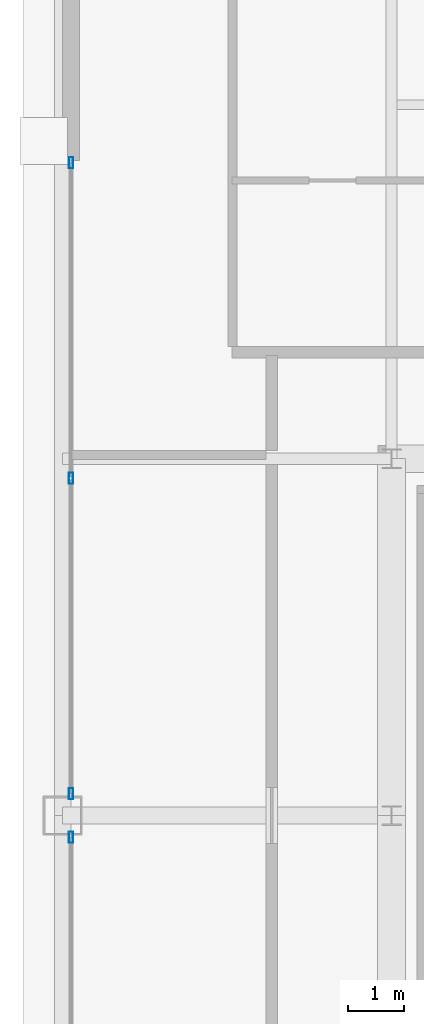
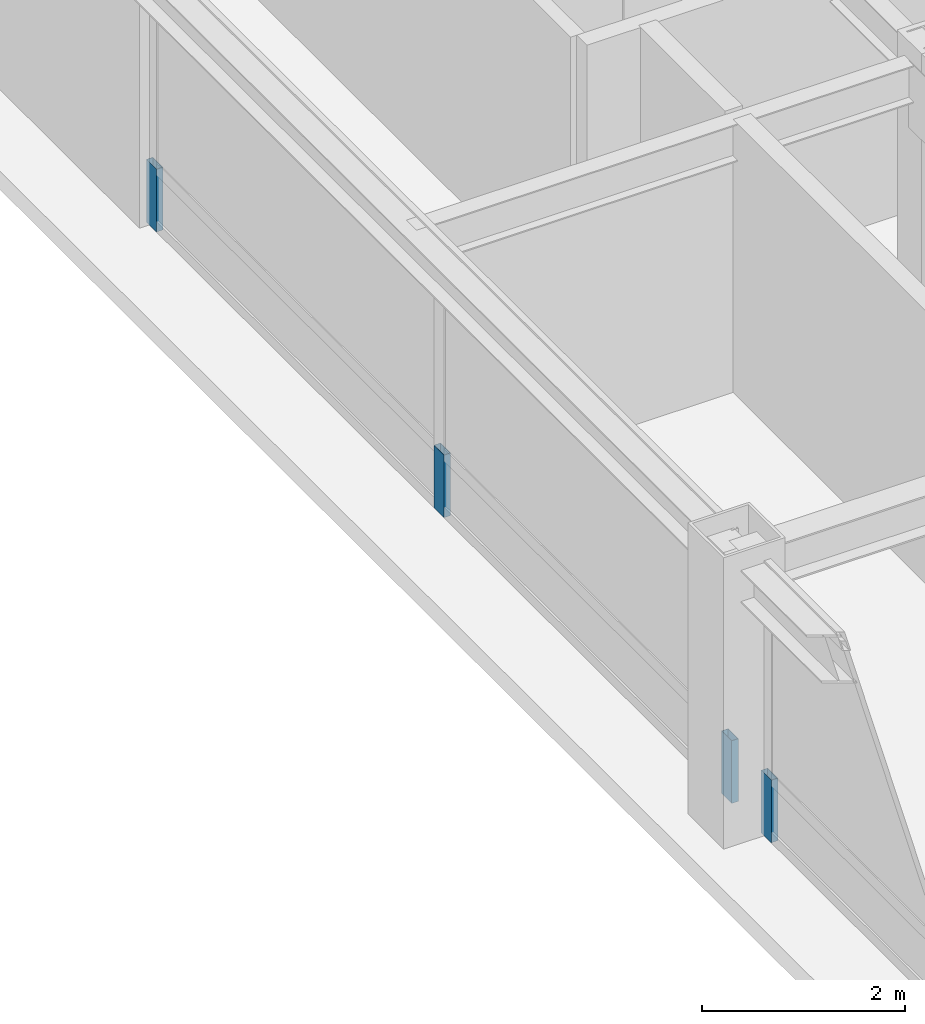
# One storey, part 24 of 35: 4 members, 2 elements without a shape of their own.
"""IFC4 building model written with IfcOpenShell, lengths in metres."""

from ifc_helpers import new_model, si_unit, direction, frame, origin, origin_2d, place, context, subcontext, project, spatial, hollow_rectangle, extrude, source, transform, mapped, material, layer, layer_set, material_profile, profile_set, type_object, element, aggregate, save


model = new_model("IFC4")

# Units and contexts
model_context = context("Model", 3, precision=1e-05, world=origin(), true_north=direction((0.0, 1.0)))
body_context = subcontext(model_context, "Body", "Model", "MODEL_VIEW")
ifc_project = project(units=[si_unit("LENGTHUNIT", "METRE"), si_unit("AREAUNIT", "SQUARE_METRE"), si_unit("VOLUMEUNIT", "CUBIC_METRE"), si_unit("PLANEANGLEUNIT", "RADIAN"), si_unit("MASSUNIT", "GRAM", prefix="KILO"), si_unit("THERMODYNAMICTEMPERATUREUNIT", "KELVIN"), si_unit("POWERUNIT", "WATT")], contexts=[model_context])

# Site, building, storey
site_placement = place(None, origin())
site = spatial("IfcSite", under=ifc_project, at=site_placement, CompositionType="ELEMENT")
building_placement = place(site_placement, origin())
building = spatial("IfcBuilding", under=site, at=building_placement, Name="Yuzanri Waterfront Tower", CompositionType="ELEMENT")
storey_placement = place(building_placement, frame((0.0, 0.0, 311.199951171875)))
storey = spatial("IfcBuildingStorey", under=building, at=storey_placement, Name="L83", CompositionType="ELEMENT", Elevation=311.199951171875)

# Curtain wall, member
ifc_material_1 = material(Name="Anodized Architectural Bronze", Category="metal")
ifc_layer = layer(ifc_material_1, 0.159912109375)
ifc_layer_set = layer_set([ifc_layer], Name="Anodized Architectural Bronze")
curtain_wall_type = type_object("IfcCurtainWallType", Name="Anodized Bronze High-Rise Penthouse High-Wind Unitized Curtain Wall 6900", PredefinedType="NOTDEFINED", material=ifc_layer_set)
curtain_wall_1_placement = place(storey_placement, origin())
curtain_wall_1 = element("IfcCurtainWall", 1, at=curtain_wall_1_placement, inside=storey, type_object=curtain_wall_type, Name="L83 Curtain Wall CW-L83-WL", PredefinedType="NOTDEFINED")
ifc_material_2 = material(Name="Anodized Architectural Bronze", Category="metal")
ifc_material_profile = material_profile(ifc_material_2, hollow_rectangle(XDim=0.074951171875, YDim=0.199951171875, WallThickness=0.00390625, at=origin_2d()), Name="CWM 75x200")
ifc_profile_set = profile_set([ifc_material_profile], Name="Anodized Architectural Bronze")
member_type = type_object("IfcMemberType", Name="Anodized Bronze Primary Curtain-Wall Mullion 75x200", PredefinedType="MULLION", material=ifc_profile_set)
shared_shape = source(origin(), body_context, "Body", "SweptSolid", [
    extrude(hollow_rectangle(XDim=0.074951171875, YDim=0.199951171875, WallThickness=0.00390625, at=origin_2d()), origin(), (0.0, 0.0, 1.0), 0.751953125),
])
member_1_placement = place(storey_placement, frame((18.050048828125, 25.409912109375, 0.0), z_axis=(0.0, 0.0, 1.0), x_axis=(1.0, 0.0, 0.0)))
member_1 = element("IfcMember", 2, at=member_1_placement, type_object=member_type, Name="CW-L83-WL Lower Mullion 02", PredefinedType="MULLION", context=body_context, shape_type="MappedRepresentation", body=[
    mapped(shared_shape, transform((0.0, 0.0, 0.0), scale=1.0)),
])
aggregate(curtain_wall_1, [member_1])

# Curtain wall, members
curtain_wall_2_placement = place(storey_placement, origin())
curtain_wall_2 = element("IfcCurtainWall", 3, at=curtain_wall_2_placement, inside=storey, type_object=curtain_wall_type, Name="L83 Curtain Wall CW-L83-WR", PredefinedType="NOTDEFINED")
member_2_placement = place(storey_placement, frame((18.050048828125, 26.18994140625, 0.0), z_axis=(0.0, 0.0, 1.0), x_axis=(1.0, 0.0, 0.0)))
member_2 = element("IfcMember", 4, at=member_2_placement, type_object=member_type, Name="CW-L83-WR Lower Mullion 00", PredefinedType="MULLION", context=body_context, shape_type="MappedRepresentation", body=[
    mapped(shared_shape, transform((0.0, 0.0, 0.0), scale=1.0)),
])
member_3_placement = place(storey_placement, frame((18.050048828125, 31.85009765625, 0.0), z_axis=(0.0, 0.0, 1.0), x_axis=(1.0, 0.0, 0.0)))
member_3 = element("IfcMember", 5, at=member_3_placement, type_object=member_type, Name="CW-L83-WR Lower Mullion 01", PredefinedType="MULLION", context=body_context, shape_type="MappedRepresentation", body=[
    mapped(shared_shape, transform((0.0, 0.0, 0.0), scale=1.0)),
])
member_4_placement = place(storey_placement, frame((18.050048828125, 37.510009765625, 0.0), z_axis=(0.0, 0.0, 1.0), x_axis=(1.0, 0.0, 0.0)))
member_4 = element("IfcMember", 6, at=member_4_placement, type_object=member_type, Name="CW-L83-WR Lower Mullion 02", PredefinedType="MULLION", context=body_context, shape_type="MappedRepresentation", body=[
    mapped(shared_shape, transform((0.0, 0.0, 0.0), scale=1.0)),
])
aggregate(curtain_wall_2, [member_2, member_3, member_4])

save(model, "model.ifc")
